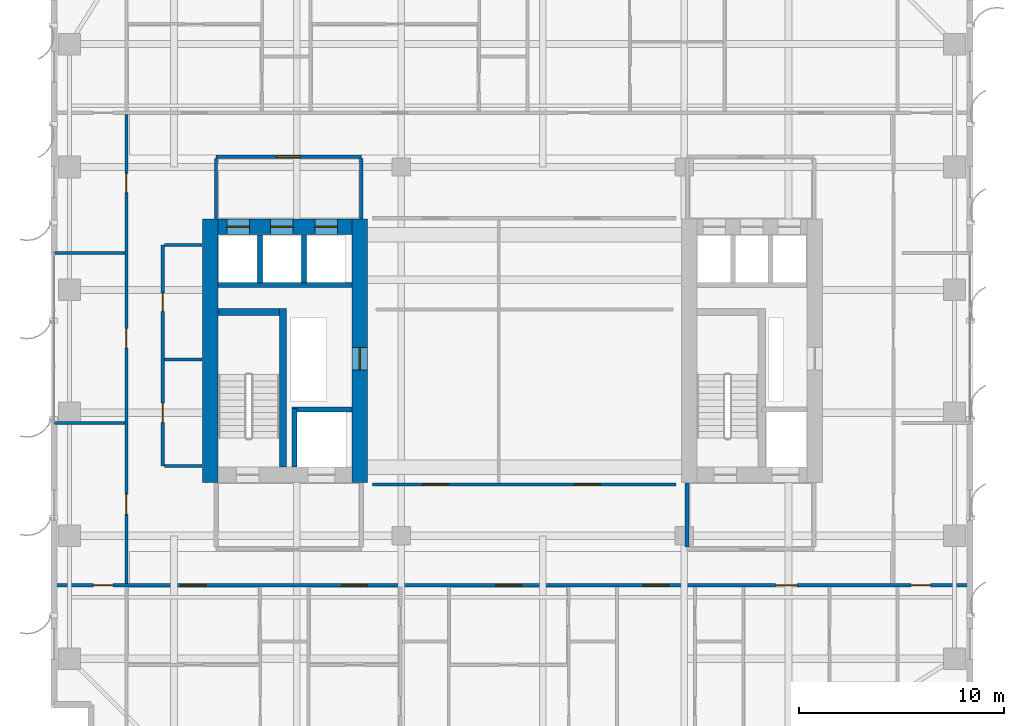
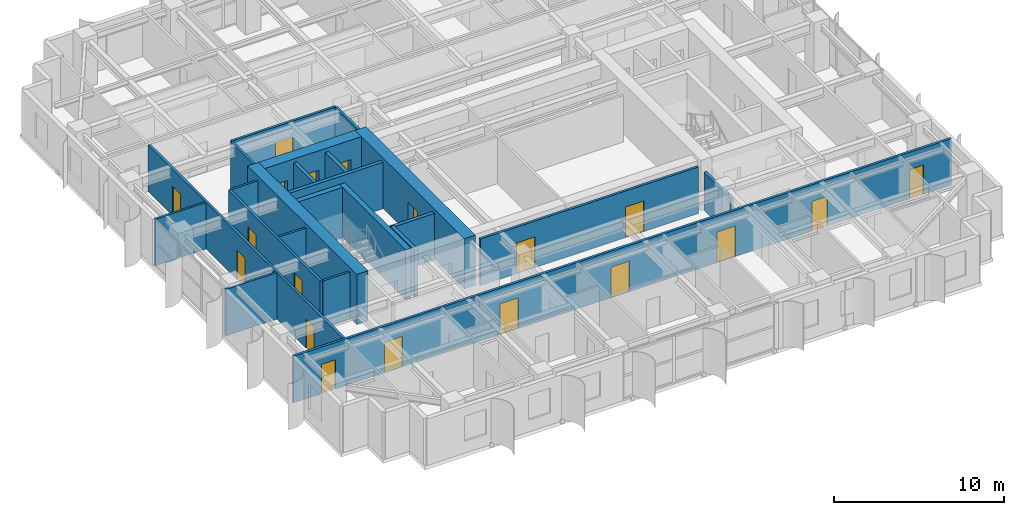
# One storey, part 14 of 22: 23 walls, 19 doors, 19 openings.
"""IFC4 building model written with IfcOpenShell, lengths in metres."""

from ifc_helpers import new_model, si_unit, direction, frame, frame_2d, origin, place, context, subcontext, project, spatial, rectangle, extrude, source, transform, mapped, material, layer, layer_set, type_object, element, fill, save


model = new_model("IFC4")

# Units and contexts
model_context = context("Model", 3, precision=1e-05, world=origin(), true_north=direction((0.0, 1.0)))
body_context = subcontext(model_context, "Body", "Model", "MODEL_VIEW")
ifc_project = project(units=[si_unit("LENGTHUNIT", "METRE"), si_unit("AREAUNIT", "SQUARE_METRE"), si_unit("VOLUMEUNIT", "CUBIC_METRE"), si_unit("PLANEANGLEUNIT", "RADIAN"), si_unit("MASSUNIT", "GRAM", prefix="KILO")], contexts=[model_context])

# Site, building, storey
site_placement = place(None, origin())
site = spatial("IfcSite", under=ifc_project, at=site_placement, CompositionType="ELEMENT")
building_placement = place(site_placement, origin())
building = spatial("IfcBuilding", under=site, at=building_placement, Name="Khoralis Quay Care Tower", CompositionType="ELEMENT")
storey_placement = place(building_placement, frame((0.0, 0.0, 94.5)))
storey = spatial("IfcBuildingStorey", under=building, at=storey_placement, Name="L24", CompositionType="ELEMENT", Elevation=94.5)

# Walls
ifc_material_1 = material(Name="Gypsum plasterboard on acoustic metal stud")
ifc_layer_1 = layer(ifc_material_1, 0.199951171875)
ifc_layer_set_1 = layer_set([ifc_layer_1], Name="Gypsum plasterboard on acoustic metal stud")
wall_type_1 = type_object("IfcWallType", Name="WL-COMP-200", PredefinedType="PARTITIONING", material=ifc_layer_set_1)
wall_1_placement = place(storey_placement, frame((31.050048828125, 11.445068359375, 0.0), z_axis=(0.0, 0.0, 1.0), x_axis=(0.0, 1.0, 0.0)))
element("IfcWall", 1, at=wall_1_placement, inside=storey, type_object=wall_type_1, Name="L24 East Firefighting Lobby West Wall", PredefinedType="PARTITIONING", context=body_context, shape_type="SweptSolid", body=[
    extrude(rectangle(XDim=3.135009765625, YDim=0.199951171875, at=frame_2d((1.5673828125, 0.0))), origin(), (0.0, 0.0, 1.0), 2.72412109375),
])
ifc_material_2 = material(Name="Concrete C80/95", Category="concrete")
ifc_layer_2 = layer(ifc_material_2, 0.75)
ifc_layer_set_2 = layer_set([ifc_layer_2], Name="Concrete C80/95")
wall_type_2 = type_object("IfcWallType", Name="WL-CORE-750", PredefinedType="SHEAR", material=ifc_layer_set_2)
wall_2_placement = place(storey_placement, frame((7.77490234375, 14.60009765625, 0.0), z_axis=(0.0, 0.0, 1.0), x_axis=(0.0, 1.0, 0.0)))
element("IfcWall", 2, at=wall_2_placement, inside=storey, type_object=wall_type_2, Name="L24 WCORE West Shear Wall", PredefinedType="SHEAR", context=body_context, shape_type="SweptSolid", body=[
    extrude(rectangle(XDim=12.849853515625, YDim=0.75, at=frame_2d((6.4248046875, 0.0))), origin(), (0.0, 0.0, 1.0), 3.60009765625),
])

# Wall, opening, door
wall_3_placement = place(storey_placement, frame((15.074951171875, 14.60009765625, 0.0), z_axis=(0.0, 0.0, 1.0), x_axis=(0.0, 1.0, 0.0)))
wall_3 = element("IfcWall", 3, at=wall_3_placement, inside=storey, type_object=wall_type_2, Name="L24 WCORE East Shear Wall", PredefinedType="SHEAR", context=body_context, shape_type="SweptSolid", body=[
    extrude(rectangle(XDim=12.849853515625, YDim=0.75, at=frame_2d((6.4248046875, 0.0))), origin(), (0.0, 0.0, 1.0), 3.60009765625),
])
opening_1_placement = place(wall_3_placement, frame((5.5, 0.0, 0.0)))
opening_1 = element("IfcOpeningElement", 4, at=opening_1_placement, cuts=wall_3, Name="Opening SD1", PredefinedType="OPENING", context=body_context, shape_type="SweptSolid", body=[
    extrude(rectangle(XDim=1.10009765625, YDim=2.199951171875, at=frame_2d((0.550048828125, 1.10009765625))), frame((0.0, 0.385009765625, 0.0), z_axis=(0.0, -1.0, 0.0), x_axis=(1.0, 0.0, 0.0)), (0.0, 0.0, 1.0), 0.77001953125),
])
ifc_material_3 = material(Name="Fire-rated painted steel", Category="steel")
door_type_1 = type_object("IfcDoorType", Name="DR-STAIR-1100X2200", OperationType="NOTDEFINED", PredefinedType="DOOR", material=ifc_material_3)
shared_shape_1 = source(origin(), body_context, "Body", "SweptSolid", [
    extrude(rectangle(XDim=1.10009765625, YDim=2.199951171875, at=frame_2d((0.550048828125, 1.10009765625))), frame((0.0, 0.02490234375, 0.0), z_axis=(0.0, -1.0, 0.0), x_axis=(1.0, 0.0, 0.0)), (0.0, 0.0, 1.0), 0.050048828125),
])
door_1_placement = place(opening_1_placement, origin())
door_1 = element("IfcDoor", 5, at=door_1_placement, inside=storey, type_object=door_type_1, Name="L24 West MEP Riser Door", OperationType="SINGLE_SWING_RIGHT", OverallHeight=2.199951171875, OverallWidth=1.10009765625, PredefinedType="DOOR", context=body_context, shape_type="MappedRepresentation", body=[
    mapped(shared_shape_1, transform((0.0, 0.0, 0.0), scale=1.0)),
])
fill(opening_1, door_1)

# Wall, openings, doors
wall_4_placement = place(storey_placement, frame((8.14990234375, 27.074951171875, 0.0), z_axis=(0.0, 0.0, 1.0), x_axis=(1.0, 0.0, 0.0)))
wall_4 = element("IfcWall", 6, at=wall_4_placement, inside=storey, type_object=wall_type_2, Name="L24 WCORE North Shear Wall", PredefinedType="SHEAR", context=body_context, shape_type="SweptSolid", body=[
    extrude(rectangle(XDim=6.550048828125, YDim=0.75, at=frame_2d((3.27490234375, 0.0))), origin(), (0.0, 0.0, 1.0), 3.60009765625),
])
opening_2_placement = place(wall_4_placement, frame((0.429931640625, 0.0, 0.0)))
opening_2 = element("IfcOpeningElement", 7, at=opening_2_placement, cuts=wall_4, Name="Opening LD1", PredefinedType="OPENING", context=body_context, shape_type="SweptSolid", body=[
    extrude(rectangle(XDim=1.10009765625, YDim=2.199951171875, at=frame_2d((0.550048828125, 1.10009765625))), frame((0.0, 0.385009765625, 0.0), z_axis=(0.0, -1.0, 0.0), x_axis=(1.0, 0.0, 0.0)), (0.0, 0.0, 1.0), 0.77001953125),
])
opening_3_placement = place(wall_4_placement, frame((2.570068359375, 0.0, 0.0)))
opening_3 = element("IfcOpeningElement", 8, at=opening_3_placement, cuts=wall_4, Name="Opening LD1", PredefinedType="OPENING", context=body_context, shape_type="SweptSolid", body=[
    extrude(rectangle(XDim=1.10009765625, YDim=2.199951171875, at=frame_2d((0.550048828125, 1.10009765625))), frame((0.0, 0.385009765625, 0.0), z_axis=(0.0, -1.0, 0.0), x_axis=(1.0, 0.0, 0.0)), (0.0, 0.0, 1.0), 0.77001953125),
])
opening_4_placement = place(wall_4_placement, frame((4.72998046875, 0.0, 0.0)))
opening_4 = element("IfcOpeningElement", 9, at=opening_4_placement, cuts=wall_4, Name="Opening LD1", PredefinedType="OPENING", context=body_context, shape_type="SweptSolid", body=[
    extrude(rectangle(XDim=1.10009765625, YDim=2.199951171875, at=frame_2d((0.550048828125, 1.10009765625))), frame((0.0, 0.385009765625, 0.0), z_axis=(0.0, -1.0, 0.0), x_axis=(1.0, 0.0, 0.0)), (0.0, 0.0, 1.0), 0.77001953125),
])
ifc_material_4 = material(Name="Brushed stainless steel", Category="steel")
door_type_2 = type_object("IfcDoorType", Name="DR-LIFT-1100X2200", OperationType="SLIDING_TO_LEFT", PredefinedType="DOOR", material=ifc_material_4)
shared_shape_2 = source(origin(), body_context, "Body", "SweptSolid", [
    extrude(rectangle(XDim=1.10009765625, YDim=2.199951171875, at=frame_2d((0.550048828125, 1.10009765625))), frame((0.0, 0.02490234375, 0.0), z_axis=(0.0, -1.0, 0.0), x_axis=(1.0, 0.0, 0.0)), (0.0, 0.0, 1.0), 0.050048828125),
])
door_2_placement = place(opening_2_placement, origin())
door_2 = element("IfcDoor", 10, at=door_2_placement, inside=storey, type_object=door_type_2, Name="L24 Lift PLL1 Landing Door", OperationType="SLIDING_TO_LEFT", OverallHeight=2.199951171875, OverallWidth=1.10009765625, PredefinedType="DOOR", context=body_context, shape_type="MappedRepresentation", body=[
    mapped(shared_shape_2, transform((0.0, 0.0, 0.0), scale=1.0)),
])
fill(opening_2, door_2)
door_3_placement = place(opening_3_placement, origin())
door_3 = element("IfcDoor", 11, at=door_3_placement, inside=storey, type_object=door_type_2, Name="L24 Lift PLM1 Landing Door", OperationType="SLIDING_TO_LEFT", OverallHeight=2.199951171875, OverallWidth=1.10009765625, PredefinedType="DOOR", context=body_context, shape_type="MappedRepresentation", body=[
    mapped(shared_shape_2, transform((0.0, 0.0, 0.0), scale=1.0)),
])
fill(opening_3, door_3)
door_4_placement = place(opening_4_placement, origin())
door_4 = element("IfcDoor", 12, at=door_4_placement, inside=storey, type_object=door_type_2, Name="L24 Lift PLH1 Landing Door", OperationType="SLIDING_TO_LEFT", OverallHeight=2.199951171875, OverallWidth=1.10009765625, PredefinedType="DOOR", context=body_context, shape_type="MappedRepresentation", body=[
    mapped(shared_shape_2, transform((0.0, 0.0, 0.0), scale=1.0)),
])
fill(opening_4, door_4)

# Wall, opening, door
ifc_layer_3 = layer(ifc_material_1, 0.1650390625)
ifc_layer_set_3 = layer_set([ifc_layer_3], Name="Gypsum plasterboard on acoustic metal stud")
wall_type_3 = type_object("IfcWallType", Name="WL-CORR-165", PredefinedType="PARTITIONING", material=ifc_layer_set_3)
wall_5_placement = place(storey_placement, frame((8.050048828125, 30.5, 0.0), z_axis=(0.0, 0.0, 1.0), x_axis=(1.0, 0.0, 0.0)))
wall_5 = element("IfcWall", 13, at=wall_5_placement, inside=storey, type_object=wall_type_3, Name="L24 West Lift Lobby North Wall", PredefinedType="PARTITIONING", context=body_context, shape_type="SweptSolid", body=[
    extrude(rectangle(XDim=7.099853515625, YDim=0.1650390625, at=frame_2d((3.5498046875, 0.0))), origin(), (0.0, 0.0, 1.0), 3.340087890625),
])
opening_5_placement = place(wall_5_placement, frame((2.949951171875, 0.0, 0.0)))
opening_5 = element("IfcOpeningElement", 14, at=opening_5_placement, cuts=wall_5, Name="Opening FD1", PredefinedType="OPENING", context=body_context, shape_type="SweptSolid", body=[
    extrude(rectangle(XDim=1.199951171875, YDim=2.199951171875, at=frame_2d((0.60009765625, 1.10009765625))), frame((0.0, 0.092529296875, 0.0), z_axis=(0.0, -1.0, 0.0), x_axis=(1.0, 0.0, 0.0)), (0.0, 0.0, 1.0), 0.18505859375),
])
door_type_3 = type_object("IfcDoorType", Name="DR-FFL-1200X2200", OperationType="NOTDEFINED", PredefinedType="DOOR", material=ifc_material_3)
shared_shape_3 = source(origin(), body_context, "Body", "SweptSolid", [
    extrude(rectangle(XDim=1.199951171875, YDim=2.199951171875, at=frame_2d((0.60009765625, 1.10009765625))), frame((0.0, 0.02490234375, 0.0), z_axis=(0.0, -1.0, 0.0), x_axis=(1.0, 0.0, 0.0)), (0.0, 0.0, 1.0), 0.050048828125),
])
door_5_placement = place(opening_5_placement, origin())
door_5 = element("IfcDoor", 15, at=door_5_placement, inside=storey, type_object=door_type_3, Name="L24 West Lift Lobby Double Door", OperationType="DOUBLE_DOOR_SINGLE_SWING", OverallHeight=2.199951171875, OverallWidth=1.199951171875, PredefinedType="DOOR", context=body_context, shape_type="MappedRepresentation", body=[
    mapped(shared_shape_3, transform((0.0, 0.0, 0.0), scale=1.0)),
])
fill(opening_5, door_5)

# Walls
for number, where, z_axis, x_axis, name in (
    (16, (8.050048828125, 27.469970703125, 0.0), (0.0, 0.0, 1.0), (0.0, 1.0, 0.0), "L24 West Lift Lobby West Wall"),
    (17, (15.14990234375, 27.469970703125, 0.0), (0.0, 0.0, 1.0), (0.0, 1.0, 0.0), "L24 West Lift Lobby East Wall"),
):
    element("IfcWall", number, at=place(storey_placement, frame(where, z_axis=z_axis, x_axis=x_axis)), inside=storey, type_object=wall_type_3, Name=name, PredefinedType="PARTITIONING", context=body_context, shape_type="SweptSolid", body=[
        extrude(rectangle(XDim=2.95263671875, YDim=0.1650390625, at=frame_2d((1.476318359375, 0.0))), origin(), (0.0, 0.0, 1.0), 3.340087890625),
    ])

# Wall, openings, doors
wall_6_placement = place(storey_placement, frame((5.449951171875, 15.39990234375, 0.0), z_axis=(0.0, 0.0, 1.0), x_axis=(0.0, 1.0, 0.0)))
wall_6 = element("IfcWall", 18, at=wall_6_placement, inside=storey, type_object=wall_type_3, Name="L24 West Core Service Flank Wall", PredefinedType="PARTITIONING", context=body_context, shape_type="SweptSolid", body=[
    extrude(rectangle(XDim=10.800048828125, YDim=0.1650390625, at=frame_2d((5.39990234375, 0.0))), origin(), (0.0, 0.0, 1.0), 3.340087890625),
])
opening_6_placement = place(wall_6_placement, frame((2.125, 0.0, 0.0)))
opening_6 = element("IfcOpeningElement", 19, at=opening_6_placement, cuts=wall_6, Name="Opening ID1", PredefinedType="OPENING", context=body_context, shape_type="SweptSolid", body=[
    extrude(rectangle(XDim=0.949951171875, YDim=2.10009765625, at=frame_2d((0.47509765625, 1.050048828125))), frame((0.0, 0.092529296875, 0.0), z_axis=(0.0, -1.0, 0.0), x_axis=(1.0, 0.0, 0.0)), (0.0, 0.0, 1.0), 0.18505859375),
])
opening_7_placement = place(wall_6_placement, frame((7.550048828125, 0.0, 0.0)))
opening_7 = element("IfcOpeningElement", 20, at=opening_7_placement, cuts=wall_6, Name="Opening WD1", PredefinedType="OPENING", context=body_context, shape_type="SweptSolid", body=[
    extrude(rectangle(XDim=0.89990234375, YDim=2.10009765625, at=frame_2d((0.449951171875, 1.050048828125))), frame((0.0, 0.092529296875, 0.0), z_axis=(0.0, -1.0, 0.0), x_axis=(1.0, 0.0, 0.0)), (0.0, 0.0, 1.0), 0.18505859375),
])
ifc_material_5 = material(Name="Acoustic hardwood timber", Category="wood")
door_type_4 = type_object("IfcDoorType", Name="DR-BATH-900X2100", OperationType="NOTDEFINED", PredefinedType="DOOR", material=ifc_material_5)
shared_shape_4 = source(origin(), body_context, "Body", "SweptSolid", [
    extrude(rectangle(XDim=0.89990234375, YDim=2.10009765625, at=frame_2d((0.449951171875, 1.050048828125))), frame((0.0, 0.02490234375, 0.0), z_axis=(0.0, -1.0, 0.0), x_axis=(1.0, 0.0, 0.0)), (0.0, 0.0, 1.0), 0.050048828125),
])
door_6_placement = place(opening_7_placement, frame((0.89990234375, 0.0, 0.0), z_axis=(0.0, 0.0, 1.0), x_axis=(-1.0, 0.0, 0.0)))
door_6 = element("IfcDoor", 21, at=door_6_placement, inside=storey, type_object=door_type_4, Name="L24 Public Accessible WC Door", OperationType="SINGLE_SWING_RIGHT", OverallHeight=2.10009765625, OverallWidth=0.89990234375, PredefinedType="DOOR", context=body_context, shape_type="MappedRepresentation", body=[
    mapped(shared_shape_4, transform((0.0, 0.0, 0.0), scale=1.0)),
])
fill(opening_7, door_6)
door_type_5 = type_object("IfcDoorType", Name="DR-ROOM-950X2100", OperationType="NOTDEFINED", PredefinedType="DOOR", material=ifc_material_5)
shared_shape_5 = source(origin(), body_context, "Body", "SweptSolid", [
    extrude(rectangle(XDim=0.949951171875, YDim=2.10009765625, at=frame_2d((0.47509765625, 1.050048828125))), frame((0.0, 0.02490234375, 0.0), z_axis=(0.0, -1.0, 0.0), x_axis=(1.0, 0.0, 0.0)), (0.0, 0.0, 1.0), 0.050048828125),
])
door_7_placement = place(opening_6_placement, frame((0.949951171875, 0.0, 0.0), z_axis=(0.0, 0.0, 1.0), x_axis=(-1.0, 0.0, 0.0)))
door_7 = element("IfcDoor", 22, at=door_7_placement, inside=storey, type_object=door_type_5, Name="L24 Housekeeping Linen Store Door", OperationType="SINGLE_SWING_LEFT", OverallHeight=2.10009765625, OverallWidth=0.949951171875, PredefinedType="DOOR", context=body_context, shape_type="MappedRepresentation", body=[
    mapped(shared_shape_5, transform((0.0, 0.0, 0.0), scale=1.0)),
])
fill(opening_6, door_7)

wall_7_placement = place(storey_placement, frame((0.14501953125, 9.580078125, 0.0), z_axis=(0.0, 0.0, 1.0), x_axis=(1.0, 0.0, 0.0)))
wall_7 = element("IfcWall", 23, at=wall_7_placement, inside=storey, type_object=wall_type_3, Name="L24 South Main Corridor Wall", PredefinedType="PARTITIONING", context=body_context, shape_type="SweptSolid", body=[
    extrude(rectangle(XDim=44.7099609375, YDim=0.1650390625, at=frame_2d((22.35498046875, 0.0))), origin(), (0.0, 0.0, 1.0), 3.340087890625),
])
opening_8_placement = place(wall_7_placement, frame((6.175048828125, 0.0, 0.0)))
opening_8 = element("IfcOpeningElement", 24, at=opening_8_placement, cuts=wall_7, Name="Opening CD1", PredefinedType="OPENING", context=body_context, shape_type="SweptSolid", body=[
    extrude(rectangle(XDim=1.25, YDim=2.199951171875, at=frame_2d((0.625, 1.10009765625))), frame((0.0, 0.092529296875, 0.0), z_axis=(0.0, -1.0, 0.0), x_axis=(1.0, 0.0, 0.0)), (0.0, 0.0, 1.0), 0.18505859375),
])
opening_9_placement = place(wall_7_placement, frame((14.0400390625, 0.0, 0.0)))
opening_9 = element("IfcOpeningElement", 25, at=opening_9_placement, cuts=wall_7, Name="Opening CD1", PredefinedType="OPENING", context=body_context, shape_type="SweptSolid", body=[
    extrude(rectangle(XDim=1.25, YDim=2.199951171875, at=frame_2d((0.625, 1.10009765625))), frame((0.0, 0.092529296875, 0.0), z_axis=(0.0, -1.0, 0.0), x_axis=(1.0, 0.0, 0.0)), (0.0, 0.0, 1.0), 0.18505859375),
])
opening_10_placement = place(wall_7_placement, frame((21.570068359375, 0.0, 0.0)))
opening_10 = element("IfcOpeningElement", 26, at=opening_10_placement, cuts=wall_7, Name="Opening CD1", PredefinedType="OPENING", context=body_context, shape_type="SweptSolid", body=[
    extrude(rectangle(XDim=1.25, YDim=2.199951171875, at=frame_2d((0.625, 1.10009765625))), frame((0.0, 0.092529296875, 0.0), z_axis=(0.0, -1.0, 0.0), x_axis=(1.0, 0.0, 0.0)), (0.0, 0.0, 1.0), 0.18505859375),
])
opening_11_placement = place(wall_7_placement, frame((28.760009765625, 0.0, 0.0)))
opening_11 = element("IfcOpeningElement", 27, at=opening_11_placement, cuts=wall_7, Name="Opening CD1", PredefinedType="OPENING", context=body_context, shape_type="SweptSolid", body=[
    extrude(rectangle(XDim=1.25, YDim=2.199951171875, at=frame_2d((0.625, 1.10009765625))), frame((0.0, 0.092529296875, 0.0), z_axis=(0.0, -1.0, 0.0), x_axis=(1.0, 0.0, 0.0)), (0.0, 0.0, 1.0), 0.18505859375),
])
opening_12_placement = place(wall_7_placement, frame((35.228515625, 0.0, 0.0)))
opening_12 = element("IfcOpeningElement", 28, at=opening_12_placement, cuts=wall_7, Name="Opening UD1", PredefinedType="OPENING", context=body_context, shape_type="SweptSolid", body=[
    extrude(rectangle(XDim=1.050048828125, YDim=2.14990234375, at=frame_2d((0.52490234375, 1.074951171875))), frame((0.0, 0.092529296875, 0.0), z_axis=(0.0, -1.0, 0.0), x_axis=(1.0, 0.0, 0.0)), (0.0, 0.0, 1.0), 0.18505859375),
])
opening_13_placement = place(wall_7_placement, frame((1.919921875, 0.0, 0.0)))
opening_13 = element("IfcOpeningElement", 29, at=opening_13_placement, cuts=wall_7, Name="Opening ID1", PredefinedType="OPENING", context=body_context, shape_type="SweptSolid", body=[
    extrude(rectangle(XDim=0.949951171875, YDim=2.10009765625, at=frame_2d((0.47509765625, 1.050048828125))), frame((0.0, 0.092529296875, 0.0), z_axis=(0.0, -1.0, 0.0), x_axis=(1.0, 0.0, 0.0)), (0.0, 0.0, 1.0), 0.18505859375),
])
opening_14_placement = place(wall_7_placement, frame((41.840087890625, 0.0, 0.0)))
opening_14 = element("IfcOpeningElement", 30, at=opening_14_placement, cuts=wall_7, Name="Opening ID1", PredefinedType="OPENING", context=body_context, shape_type="SweptSolid", body=[
    extrude(rectangle(XDim=0.949951171875, YDim=2.10009765625, at=frame_2d((0.47509765625, 1.050048828125))), frame((0.0, 0.092529296875, 0.0), z_axis=(0.0, -1.0, 0.0), x_axis=(1.0, 0.0, 0.0)), (0.0, 0.0, 1.0), 0.18505859375),
])
door_type_6 = type_object("IfcDoorType", Name="DR-CARE-1250X2200", OperationType="NOTDEFINED", PredefinedType="DOOR", material=ifc_material_5)
shared_shape_6 = source(origin(), body_context, "Body", "SweptSolid", [
    extrude(rectangle(XDim=1.25, YDim=2.199951171875, at=frame_2d((0.625, 1.10009765625))), frame((0.0, 0.02490234375, 0.0), z_axis=(0.0, -1.0, 0.0), x_axis=(1.0, 0.0, 0.0)), (0.0, 0.0, 1.0), 0.050048828125),
])
door_8_placement = place(opening_8_placement, frame((1.25, 0.0, 0.0), z_axis=(0.0, 0.0, 1.0), x_axis=(-1.0, 0.0, 0.0)))
door_8 = element("IfcDoor", 31, at=door_8_placement, inside=storey, type_object=door_type_6, Name="L24 Care Suite SB0 Clinical Door", OperationType="SINGLE_SWING_RIGHT", OverallHeight=2.199951171875, OverallWidth=1.25, PredefinedType="DOOR", context=body_context, shape_type="MappedRepresentation", body=[
    mapped(shared_shape_6, transform((0.0, 0.0, 0.0), scale=1.0)),
])
fill(opening_8, door_8)
door_9_placement = place(opening_9_placement, frame((1.25, 0.0, 0.0), z_axis=(0.0, 0.0, 1.0), x_axis=(-1.0, 0.0, 0.0)))
door_9 = element("IfcDoor", 32, at=door_9_placement, inside=storey, type_object=door_type_6, Name="L24 Care Suite SB1 Clinical Door", OperationType="SINGLE_SWING_LEFT", OverallHeight=2.199951171875, OverallWidth=1.25, PredefinedType="DOOR", context=body_context, shape_type="MappedRepresentation", body=[
    mapped(shared_shape_6, transform((0.0, 0.0, 0.0), scale=1.0)),
])
fill(opening_9, door_9)
door_10_placement = place(opening_10_placement, frame((1.25, 0.0, 0.0), z_axis=(0.0, 0.0, 1.0), x_axis=(-1.0, 0.0, 0.0)))
door_10 = element("IfcDoor", 33, at=door_10_placement, inside=storey, type_object=door_type_6, Name="L24 Care Suite SB2 Clinical Door", OperationType="SINGLE_SWING_RIGHT", OverallHeight=2.199951171875, OverallWidth=1.25, PredefinedType="DOOR", context=body_context, shape_type="MappedRepresentation", body=[
    mapped(shared_shape_6, transform((0.0, 0.0, 0.0), scale=1.0)),
])
fill(opening_10, door_10)
door_11_placement = place(opening_11_placement, frame((1.25, 0.0, 0.0), z_axis=(0.0, 0.0, 1.0), x_axis=(-1.0, 0.0, 0.0)))
door_11 = element("IfcDoor", 34, at=door_11_placement, inside=storey, type_object=door_type_6, Name="L24 Care Suite SB3 Clinical Door", OperationType="SINGLE_SWING_LEFT", OverallHeight=2.199951171875, OverallWidth=1.25, PredefinedType="DOOR", context=body_context, shape_type="MappedRepresentation", body=[
    mapped(shared_shape_6, transform((0.0, 0.0, 0.0), scale=1.0)),
])
fill(opening_11, door_11)
door_12_placement = place(opening_13_placement, frame((0.949951171875, 0.0, 0.0), z_axis=(0.0, 0.0, 1.0), x_axis=(-1.0, 0.0, 0.0)))
door_12 = element("IfcDoor", 35, at=door_12_placement, inside=storey, type_object=door_type_5, Name="L24 SW Corner Door", OperationType="SINGLE_SWING_LEFT", OverallHeight=2.10009765625, OverallWidth=0.949951171875, PredefinedType="DOOR", context=body_context, shape_type="MappedRepresentation", body=[
    mapped(shared_shape_5, transform((0.0, 0.0, 0.0), scale=1.0)),
])
fill(opening_13, door_12)
door_13_placement = place(opening_14_placement, frame((0.949951171875, 0.0, 0.0), z_axis=(0.0, 0.0, 1.0), x_axis=(-1.0, 0.0, 0.0)))
door_13 = element("IfcDoor", 36, at=door_13_placement, inside=storey, type_object=door_type_5, Name="L24 SE Corner Door", OperationType="SINGLE_SWING_RIGHT", OverallHeight=2.10009765625, OverallWidth=0.949951171875, PredefinedType="DOOR", context=body_context, shape_type="MappedRepresentation", body=[
    mapped(shared_shape_5, transform((0.0, 0.0, 0.0), scale=1.0)),
])
fill(opening_14, door_13)
door_type_7 = type_object("IfcDoorType", Name="DR-SUITE-1050X2150", OperationType="NOTDEFINED", PredefinedType="DOOR", material=ifc_material_5)
shared_shape_7 = source(origin(), body_context, "Body", "SweptSolid", [
    extrude(rectangle(XDim=1.050048828125, YDim=2.14990234375, at=frame_2d((0.52490234375, 1.074951171875))), frame((0.0, 0.02490234375, 0.0), z_axis=(0.0, -1.0, 0.0), x_axis=(1.0, 0.0, 0.0)), (0.0, 0.0, 1.0), 0.050048828125),
])
door_14_placement = place(opening_12_placement, frame((1.050048828125, 0.0, 0.0), z_axis=(0.0, 0.0, 1.0), x_axis=(-1.0, 0.0, 0.0)))
door_14 = element("IfcDoor", 37, at=door_14_placement, inside=storey, type_object=door_type_7, Name="L24 Studio SB4 Entrance", OperationType="SINGLE_SWING_RIGHT", OverallHeight=2.14990234375, OverallWidth=1.050048828125, PredefinedType="DOOR", context=body_context, shape_type="MappedRepresentation", body=[
    mapped(shared_shape_7, transform((0.0, 0.0, 0.0), scale=1.0)),
])
fill(opening_12, door_14)

wall_8_placement = place(storey_placement, frame((3.679931640625, 9.657470703125, 0.0), z_axis=(0.0, 0.0, 1.0), x_axis=(0.0, 1.0, 0.0)))
wall_8 = element("IfcWall", 38, at=wall_8_placement, inside=storey, type_object=wall_type_3, Name="L24 West Loop Corridor Wall", PredefinedType="PARTITIONING", context=body_context, shape_type="SweptSolid", body=[
    extrude(rectangle(XDim=22.905029296875, YDim=0.1650390625, at=frame_2d((11.45263671875, 0.0))), origin(), (0.0, 0.0, 1.0), 3.340087890625),
])
opening_15_placement = place(wall_8_placement, frame((3.407470703125, 0.0, 0.0)))
opening_15 = element("IfcOpeningElement", 39, at=opening_15_placement, cuts=wall_8, Name="Opening ID1", PredefinedType="OPENING", context=body_context, shape_type="SweptSolid", body=[
    extrude(rectangle(XDim=0.949951171875, YDim=2.10009765625, at=frame_2d((0.47509765625, 1.050048828125))), frame((0.0, 0.092529296875, 0.0), z_axis=(0.0, -1.0, 0.0), x_axis=(1.0, 0.0, 0.0)), (0.0, 0.0, 1.0), 0.18505859375),
])
opening_16_placement = place(wall_8_placement, frame((11.517578125, 0.0, 0.0)))
opening_16 = element("IfcOpeningElement", 40, at=opening_16_placement, cuts=wall_8, Name="Opening ID1", PredefinedType="OPENING", context=body_context, shape_type="SweptSolid", body=[
    extrude(rectangle(XDim=0.949951171875, YDim=2.10009765625, at=frame_2d((0.47509765625, 1.050048828125))), frame((0.0, 0.092529296875, 0.0), z_axis=(0.0, -1.0, 0.0), x_axis=(1.0, 0.0, 0.0)), (0.0, 0.0, 1.0), 0.18505859375),
])
opening_17_placement = place(wall_8_placement, frame((19.08740234375, 0.0, 0.0)))
opening_17 = element("IfcOpeningElement", 41, at=opening_17_placement, cuts=wall_8, Name="Opening ID1", PredefinedType="OPENING", context=body_context, shape_type="SweptSolid", body=[
    extrude(rectangle(XDim=0.949951171875, YDim=2.10009765625, at=frame_2d((0.47509765625, 1.050048828125))), frame((0.0, 0.092529296875, 0.0), z_axis=(0.0, -1.0, 0.0), x_axis=(1.0, 0.0, 0.0)), (0.0, 0.0, 1.0), 0.18505859375),
])
door_15_placement = place(opening_15_placement, origin())
door_15 = element("IfcDoor", 42, at=door_15_placement, inside=storey, type_object=door_type_5, Name="L24 Therapy Consultation Room Door", OperationType="SINGLE_SWING_LEFT", OverallHeight=2.10009765625, OverallWidth=0.949951171875, PredefinedType="DOOR", context=body_context, shape_type="MappedRepresentation", body=[
    mapped(shared_shape_5, transform((0.0, 0.0, 0.0), scale=1.0)),
])
fill(opening_15, door_15)
door_16_placement = place(opening_16_placement, origin())
door_16 = element("IfcDoor", 43, at=door_16_placement, inside=storey, type_object=door_type_5, Name="L24 Assisted Activity Lounge Door", OperationType="SINGLE_SWING_RIGHT", OverallHeight=2.10009765625, OverallWidth=0.949951171875, PredefinedType="DOOR", context=body_context, shape_type="MappedRepresentation", body=[
    mapped(shared_shape_5, transform((0.0, 0.0, 0.0), scale=1.0)),
])
fill(opening_16, door_16)
door_17_placement = place(opening_17_placement, origin())
door_17 = element("IfcDoor", 44, at=door_17_placement, inside=storey, type_object=door_type_5, Name="L24 Nurse Charting Office Door", OperationType="SINGLE_SWING_LEFT", OverallHeight=2.10009765625, OverallWidth=0.949951171875, PredefinedType="DOOR", context=body_context, shape_type="MappedRepresentation", body=[
    mapped(shared_shape_5, transform((0.0, 0.0, 0.0), scale=1.0)),
])
fill(opening_17, door_17)

wall_9_placement = place(storey_placement, frame((15.699951171875, 14.5, 0.0), z_axis=(0.0, 0.0, 1.0), x_axis=(1.0, 0.0, 0.0)))
wall_9 = element("IfcWall", 45, at=wall_9_placement, inside=storey, type_object=wall_type_3, Name="L24 Central Clinical South Wall", PredefinedType="PARTITIONING", context=body_context, shape_type="SweptSolid", body=[
    extrude(rectangle(XDim=14.800048828125, YDim=0.1650390625, at=frame_2d((7.39990234375, 0.0))), origin(), (0.0, 0.0, 1.0), 3.340087890625),
])
opening_18_placement = place(wall_9_placement, frame((2.449951171875, 0.0, 0.0)))
opening_18 = element("IfcOpeningElement", 46, at=opening_18_placement, cuts=wall_9, Name="Opening CD1", PredefinedType="OPENING", context=body_context, shape_type="SweptSolid", body=[
    extrude(rectangle(XDim=1.25, YDim=2.199951171875, at=frame_2d((0.625, 1.10009765625))), frame((0.0, 0.092529296875, 0.0), z_axis=(0.0, -1.0, 0.0), x_axis=(1.0, 0.0, 0.0)), (0.0, 0.0, 1.0), 0.18505859375),
])
opening_19_placement = place(wall_9_placement, frame((9.85009765625, 0.0, 0.0)))
opening_19 = element("IfcOpeningElement", 47, at=opening_19_placement, cuts=wall_9, Name="Opening CD1", PredefinedType="OPENING", context=body_context, shape_type="SweptSolid", body=[
    extrude(rectangle(XDim=1.25, YDim=2.199951171875, at=frame_2d((0.625, 1.10009765625))), frame((0.0, 0.092529296875, 0.0), z_axis=(0.0, -1.0, 0.0), x_axis=(1.0, 0.0, 0.0)), (0.0, 0.0, 1.0), 0.18505859375),
])
door_18_placement = place(opening_18_placement, origin())
door_18 = element("IfcDoor", 48, at=door_18_placement, inside=storey, type_object=door_type_6, Name="L24 Nurse Station Door", OperationType="SINGLE_SWING_LEFT", OverallHeight=2.199951171875, OverallWidth=1.25, PredefinedType="DOOR", context=body_context, shape_type="MappedRepresentation", body=[
    mapped(shared_shape_6, transform((0.0, 0.0, 0.0), scale=1.0)),
])
fill(opening_18, door_18)
door_19_placement = place(opening_19_placement, origin())
door_19 = element("IfcDoor", 49, at=door_19_placement, inside=storey, type_object=door_type_6, Name="L24 Treatment Clinic Door", OperationType="SINGLE_SWING_RIGHT", OverallHeight=2.199951171875, OverallWidth=1.25, PredefinedType="DOOR", context=body_context, shape_type="MappedRepresentation", body=[
    mapped(shared_shape_6, transform((0.0, 0.0, 0.0), scale=1.0)),
])
fill(opening_19, door_19)

# Walls
ifc_material_6 = material(Name="Moisture-resistant gypsum and ceramic tile")
ifc_layer_4 = layer(ifc_material_6, 0.280029296875)
ifc_layer_set_4 = layer_set([ifc_layer_4], Name="Moisture-resistant gypsum and ceramic tile")
wall_type_4 = type_object("IfcWallType", Name="WL-PLUMB-280", PredefinedType="PLUMBINGWALL", material=ifc_layer_set_4)
wall_10_placement = place(storey_placement, frame((5.527587890625, 20.60009765625, 0.0), z_axis=(0.0, 0.0, 1.0), x_axis=(1.0, 0.0, 0.0)))
element("IfcWall", 50, at=wall_10_placement, inside=storey, type_object=wall_type_4, Name="L24 West Flank Divider 1", PredefinedType="PLUMBINGWALL", context=body_context, shape_type="SweptSolid", body=[
    extrude(rectangle(XDim=1.83251953125, YDim=0.139892578125, at=frame_2d((0.916259765625, 0.0))), origin(), (0.0, 0.0, 1.0), 3.340087890625),
])
ifc_material_7 = material(Name="Concrete C40/50", Category="concrete")
ifc_layer_5 = layer(ifc_material_7, 0.35009765625)
ifc_layer_set_5 = layer_set([ifc_layer_5], Name="Concrete C40/50")
wall_type_5 = type_object("IfcWallType", Name="WL-SC-CORE-350", PredefinedType="SHEAR", material=ifc_layer_set_5)
wall_11_placement = place(storey_placement, frame((11.324951171875, 15.35009765625, 0.0), z_axis=(0.0, 0.0, 1.0), x_axis=(0.0, 1.0, 0.0)))
element("IfcWall", 51, at=wall_11_placement, inside=storey, type_object=wall_type_5, Name="L24 Stair ST-T1 Shear Baffle Wall East", PredefinedType="SHEAR", context=body_context, shape_type="SweptSolid", body=[
    extrude(rectangle(XDim=7.75, YDim=0.35009765625, at=frame_2d((3.875, 0.0))), origin(), (0.0, 0.0, 1.0), 3.60009765625),
])
wall_12_placement = place(storey_placement, frame((8.14990234375, 22.925048828125, 0.0), z_axis=(0.0, 0.0, 1.0), x_axis=(1.0, 0.0, 0.0)))
element("IfcWall", 52, at=wall_12_placement, inside=storey, type_object=wall_type_5, Name="L24 Stair ST-T1 Shear Baffle Wall North", PredefinedType="SHEAR", context=body_context, shape_type="SweptSolid", body=[
    extrude(rectangle(XDim=3.0, YDim=0.35009765625, at=frame_2d((1.5, 0.0))), origin(), (0.0, 0.0, 1.0), 3.60009765625),
])
ifc_layer_6 = layer(ifc_material_1, 0.239990234375)
ifc_layer_set_6 = layer_set([ifc_layer_6], Name="Gypsum plasterboard on acoustic metal stud")
wall_type_6 = type_object("IfcWallType", Name="WL-SHAFT-240", PredefinedType="PARTITIONING", material=ifc_layer_set_6)
wall_13_placement = place(storey_placement, frame((11.8798828125, 15.35009765625, 0.0), z_axis=(0.0, 0.0, 1.0), x_axis=(0.0, 1.0, 0.0)))
element("IfcWall", 53, at=wall_13_placement, inside=storey, type_object=wall_type_6, Name="L24 FFL-1 Shaft Wall West", PredefinedType="PARTITIONING", context=body_context, shape_type="SweptSolid", body=[
    extrude(rectangle(XDim=2.849853515625, YDim=0.239990234375, at=frame_2d((1.4248046875, 0.0))), origin(), (0.0, 0.0, 1.0), 3.340087890625),
])
wall_14_placement = place(storey_placement, frame((11.760009765625, 18.169921875, 0.0), z_axis=(0.0, 0.0, 1.0), x_axis=(1.0, 0.0, 0.0)))
element("IfcWall", 54, at=wall_14_placement, inside=storey, type_object=wall_type_6, Name="L24 FFL-1 Shaft Wall North", PredefinedType="PARTITIONING", context=body_context, shape_type="SweptSolid", body=[
    extrude(rectangle(XDim=2.919921875, YDim=0.239990234375, at=frame_2d((1.4599609375, 0.0))), origin(), (0.0, 0.0, 1.0), 3.340087890625),
])
wall_15_placement = place(storey_placement, frame((8.14990234375, 24.22998046875, 0.0), z_axis=(0.0, 0.0, 1.0), x_axis=(1.0, 0.0, 0.0)))
element("IfcWall", 55, at=wall_15_placement, inside=storey, type_object=wall_type_6, Name="L24 West Passenger Shaft South Wall", PredefinedType="PARTITIONING", context=body_context, shape_type="SweptSolid", body=[
    extrude(rectangle(XDim=6.530029296875, YDim=0.239990234375, at=frame_2d((3.26513671875, 0.0))), origin(), (0.0, 0.0, 1.0), 3.340087890625),
])
for number, where, z_axis, x_axis, name in (
    (56, (10.199951171875, 24.344970703125, 0.0), (0.0, 0.0, 1.0), (0.0, 1.0, 0.0), "L24 West Shaft Divider 1"),
    (57, (12.35009765625, 24.344970703125, 0.0), (0.0, 0.0, 1.0), (0.0, 1.0, 0.0), "L24 West Shaft Divider 2"),
):
    element("IfcWall", number, at=place(storey_placement, frame(where, z_axis=z_axis, x_axis=x_axis)), inside=storey, type_object=wall_type_6, Name=name, PredefinedType="PARTITIONING", context=body_context, shape_type="SweptSolid", body=[
        extrude(rectangle(XDim=2.3349609375, YDim=0.239990234375, at=frame_2d((1.16748046875, 0.0))), origin(), (0.0, 0.0, 1.0), 3.340087890625),
    ])
ifc_layer_7 = layer(ifc_material_1, 0.139892578125)
ifc_layer_set_7 = layer_set([ifc_layer_7], Name="Gypsum plasterboard on acoustic metal stud")
wall_type_7 = type_object("IfcWallType", Name="WL-UNIT-140", PredefinedType="PARTITIONING", material=ifc_layer_set_7)
for number, where, z_axis, x_axis, name in (
    (58, (5.527587890625, 15.39990234375, 0.0), (0.0, 0.0, 1.0), (1.0, 0.0, 0.0), "L24 West Flank South Cap"),
    (59, (5.527587890625, 26.199951171875, 0.0), (0.0, 0.0, 1.0), (1.0, 0.0, 0.0), "L24 West Flank North Cap"),
):
    element("IfcWall", number, at=place(storey_placement, frame(where, z_axis=z_axis, x_axis=x_axis)), inside=storey, type_object=wall_type_7, Name=name, PredefinedType="PARTITIONING", context=body_context, shape_type="SweptSolid", body=[
        extrude(rectangle(XDim=1.83251953125, YDim=0.139892578125, at=frame_2d((0.916259765625, 0.0))), origin(), (0.0, 0.0, 1.0), 3.340087890625),
    ])
for number, where, z_axis, x_axis, name in (
    (60, (0.14501953125, 17.5, 0.0), (0.0, 0.0, 1.0), (1.0, 0.0, 0.0), "L24 WW Divider 1"),
    (61, (0.14501953125, 25.800048828125, 0.0), (0.0, 0.0, 1.0), (1.0, 0.0, 0.0), "L24 WW Divider 2"),
):
    element("IfcWall", number, at=place(storey_placement, frame(where, z_axis=z_axis, x_axis=x_axis)), inside=storey, type_object=wall_type_7, Name=name, PredefinedType="PARTITIONING", context=body_context, shape_type="SweptSolid", body=[
        extrude(rectangle(XDim=3.45751953125, YDim=0.139892578125, at=frame_2d((1.728759765625, 0.0))), origin(), (0.0, 0.0, 1.0), 3.340087890625),
    ])

save(model, "model.ifc")
